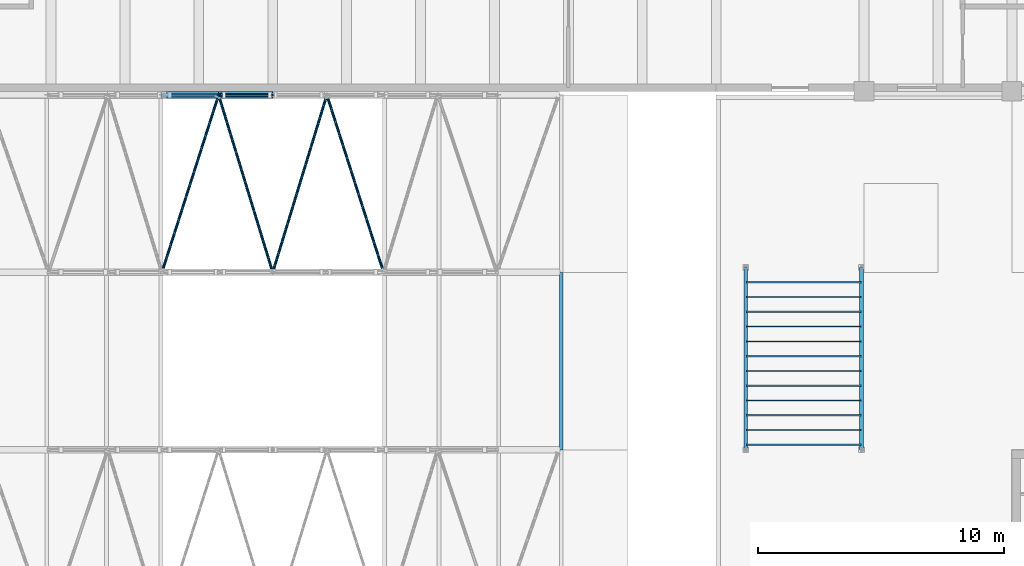
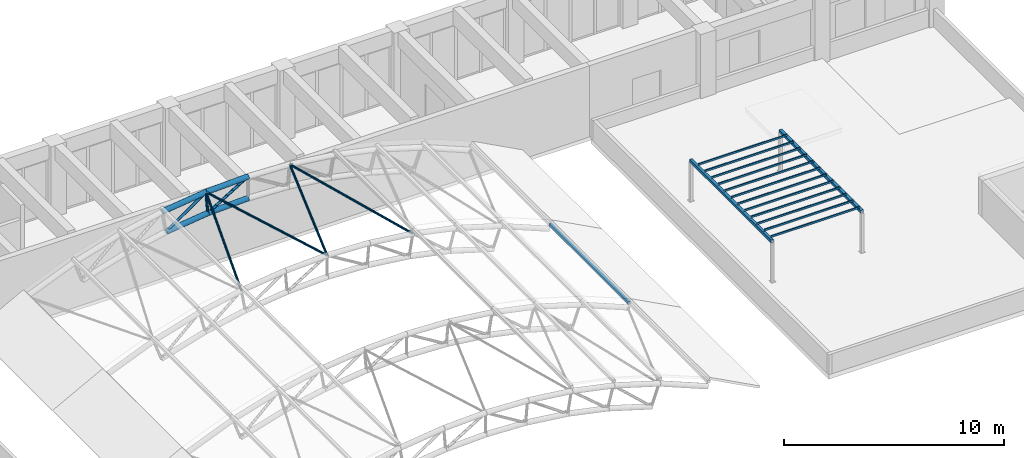
# One storey, part 11 of 92: 24 members, 2 beams.
"""IFC4 building model written with IfcOpenShell, lengths in metres."""

from ifc_helpers import new_model, si_unit, direction, frame, origin, origin_2d, place, context, subcontext, project, spatial, hollow_rectangle, hollow_circle, extrude, material, material_profile, profile_set, type_object, element, save


model = new_model("IFC4")

# Units and contexts
model_context = context("Model", 3, precision=1e-05, world=origin(), true_north=direction((0.0, 1.0)))
body_context = subcontext(model_context, "Body", "Model", "MODEL_VIEW")
ifc_project = project(units=[si_unit("LENGTHUNIT", "METRE"), si_unit("AREAUNIT", "SQUARE_METRE"), si_unit("VOLUMEUNIT", "CUBIC_METRE"), si_unit("PLANEANGLEUNIT", "RADIAN"), si_unit("MASSUNIT", "GRAM", prefix="KILO")], contexts=[model_context])

# Site, building, storey
site_placement = place(None, origin())
site = spatial("IfcSite", under=ifc_project, at=site_placement, CompositionType="ELEMENT")
building_placement = place(site_placement, origin())
building = spatial("IfcBuilding", under=site, at=building_placement, Name="Laocheng Heights Fire and Rescue Headquarters", CompositionType="ELEMENT")
storey_placement = place(building_placement, frame((0.0, 0.0, 12.60009765625)))
storey = spatial("IfcBuildingStorey", under=building, at=storey_placement, Name="L03", CompositionType="ELEMENT", Elevation=12.60009765625)

# Members
ifc_material_1 = material(Name="Steel Q355B", Category="steel")
ifc_material_profile_1 = material_profile(ifc_material_1, hollow_circle(Radius=0.05712890625, WallThickness=0.0048828125, at=origin_2d()), Name="CHS 114.3x5")
ifc_profile_set_1 = profile_set([ifc_material_profile_1], Name="Steel Q355B")
member_type_1 = type_object("IfcMemberType", Name="BAY ROOF BRACE CHS 114.3x5", PredefinedType="BRACE", material=ifc_profile_set_1)
member_1_placement = place(storey_placement, frame((31.501953125, 14.39990234375, 3.826904296875), z_axis=(0.304196705164, 0.951869414187, 0.037536421019), x_axis=(-0.952540707516, 0.304411235872, 0.0)))
element("IfcMember", 1, at=member_1_placement, inside=storey, type_object=member_type_1, Name="Roof brace C-D panel 07", PredefinedType="BRACE", context=body_context, shape_type="SweptSolid", body=[
    extrude(hollow_circle(Radius=0.05712890625, WallThickness=0.0048828125, at=origin_2d()), origin(), (0.0, 0.0, 1.0), 7.564208984375),
])
for number, where, z_axis, x_axis, name in (
    (2, (36.0, 14.39990234375, 4.199951171875), (-0.291828941844, 0.956397283351, -0.011836600041), (-0.956464288461, -0.291849387354, 0.0), "Roof brace C-D panel 08"),
    (3, (36.0, 14.39990234375, 4.199951171875), (0.291828941844, 0.956397283351, -0.011836600041), (-0.956464288461, 0.291849387354, 0.0), "Roof brace C-D panel 09"),
):
    element("IfcMember", number, at=place(storey_placement, frame(where, z_axis=z_axis, x_axis=x_axis)), inside=storey, type_object=member_type_1, Name=name, PredefinedType="BRACE", context=body_context, shape_type="SweptSolid", body=[
        extrude(hollow_circle(Radius=0.05712890625, WallThickness=0.0048828125, at=origin_2d()), origin(), (0.0, 0.0, 1.0), 7.528564453125),
    ])
member_2_placement = place(storey_placement, frame((40.498046875, 14.39990234375, 3.826904296875), z_axis=(-0.304196705164, 0.951869414187, 0.037536421019), x_axis=(-0.952540707516, -0.304411235872, 0.0)))
element("IfcMember", 4, at=member_2_placement, inside=storey, type_object=member_type_1, Name="Roof brace C-D panel 10", PredefinedType="BRACE", context=body_context, shape_type="SweptSolid", body=[
    extrude(hollow_circle(Radius=0.05712890625, WallThickness=0.0048828125, at=origin_2d()), origin(), (0.0, 0.0, 1.0), 7.564208984375),
])
ifc_material_2 = material(Name="Steel Q355B", Category="steel")
ifc_material_profile_2 = material_profile(ifc_material_2, hollow_circle(Radius=0.136474609375, WallThickness=0.011962890625, at=origin_2d()), Name="CHS 273x12")
ifc_profile_set_2 = profile_set([ifc_material_profile_2], Name="Steel Q355B")
member_type_2 = type_object("IfcMemberType", Name="BAY ROOF CHORD CHS 273x12", PredefinedType="CHORD", material=ifc_profile_set_2)
member_3_placement = place(storey_placement, frame((31.501953125, 21.60009765625, 3.826904296875), z_axis=(0.992472661513, 0.0, 0.122466387834), x_axis=(0.0, 1.0, 0.0)))
element("IfcMember", 5, at=member_3_placement, inside=storey, type_object=member_type_2, Name="Truss TR4 upper chord 07", PredefinedType="CHORD", context=body_context, shape_type="SweptSolid", body=[
    extrude(hollow_circle(Radius=0.136474609375, WallThickness=0.011962890625, at=origin_2d()), origin(), (0.0, 0.0, 1.0), 2.318359375),
])
member_4_placement = place(storey_placement, frame((33.802978515625, 21.60009765625, 4.11083984375), z_axis=(0.999178454192, 0.0, 0.04052674028), x_axis=(0.0, 1.0, 0.0)))
element("IfcMember", 6, at=member_4_placement, inside=storey, type_object=member_type_2, Name="Truss TR4 upper chord 08", PredefinedType="CHORD", context=body_context, shape_type="SweptSolid", body=[
    extrude(hollow_circle(Radius=0.136474609375, WallThickness=0.011962890625, at=origin_2d()), origin(), (0.0, 0.0, 1.0), 2.19873046875),
])
member_5_placement = place(storey_placement, frame((31.699951171875, 21.60009765625, 2.642822265625), z_axis=(0.992444716413, 0.0, 0.122692643889), x_axis=(0.0, 1.0, 0.0)))
element("IfcMember", 7, at=member_5_placement, inside=storey, type_object=member_type_2, Name="Truss TR4 lower chord 07", PredefinedType="CHORD", context=body_context, shape_type="SweptSolid", body=[
    extrude(hollow_circle(Radius=0.136474609375, WallThickness=0.011962890625, at=origin_2d()), origin(), (0.0, 0.0, 1.0), 2.216796875),
])
member_6_placement = place(storey_placement, frame((33.89990234375, 21.60009765625, 2.914794921875), z_axis=(0.999177972736, 0.0, 0.040538608752), x_axis=(0.0, 1.0, 0.0)))
element("IfcMember", 8, at=member_6_placement, inside=storey, type_object=member_type_2, Name="Truss TR4 lower chord 08", PredefinedType="CHORD", context=body_context, shape_type="SweptSolid", body=[
    extrude(hollow_circle(Radius=0.136474609375, WallThickness=0.011962890625, at=origin_2d()), origin(), (0.0, 0.0, 1.0), 2.101806640625),
])
ifc_material_3 = material(Name="Steel Q355B", Category="steel")
ifc_material_profile_3 = material_profile(ifc_material_3, hollow_circle(Radius=0.06982421875, WallThickness=0.006103515625, at=origin_2d()), Name="CHS 139.7x6")
ifc_profile_set_3 = profile_set([ifc_material_profile_3], Name="Steel Q355B")
member_type_3 = type_object("IfcMemberType", Name="BAY ROOF DIAG CHS 139.7x6", PredefinedType="BRACE", material=ifc_profile_set_3)
member_7_placement = place(storey_placement, frame((31.699951171875, 21.60009765625, 2.642822265625), z_axis=(0.819982530229, 0.0, 0.572388548208), x_axis=(0.0, 1.0, 0.0)))
element("IfcMember", 9, at=member_7_placement, inside=storey, type_object=member_type_3, Name="Truss diagonal TR4-07", PredefinedType="BRACE", context=body_context, shape_type="SweptSolid", body=[
    extrude(hollow_circle(Radius=0.06982421875, WallThickness=0.006103515625, at=origin_2d()), origin(), (0.0, 0.0, 1.0), 2.564697265625),
])
member_8_placement = place(storey_placement, frame((33.89990234375, 21.60009765625, 2.914794921875), z_axis=(0.852963029568, 0.0, 0.521971330812), x_axis=(0.0, 1.0, 0.0)))
element("IfcMember", 10, at=member_8_placement, inside=storey, type_object=member_type_3, Name="Truss diagonal TR4-08", PredefinedType="BRACE", context=body_context, shape_type="SweptSolid", body=[
    extrude(hollow_circle(Radius=0.06982421875, WallThickness=0.006103515625, at=origin_2d()), origin(), (0.0, 0.0, 1.0), 2.462158203125),
])
ifc_material_4 = material(Name="Steel Q355B", Category="steel")
ifc_material_profile_4 = material_profile(ifc_material_4, hollow_circle(Radius=0.06982421875, WallThickness=0.006103515625, at=origin_2d()), Name="CHS 139.7x6")
ifc_profile_set_4 = profile_set([ifc_material_profile_4], Name="Steel Q355B")
member_type_4 = type_object("IfcMemberType", Name="BAY ROOF POST CHS 139.7x6", PredefinedType="POST", material=ifc_profile_set_4)
member_9_placement = place(storey_placement, frame((33.89990234375, 21.60009765625, 2.914794921875), z_axis=(-0.080772165441, 0.0, 0.996732590663), x_axis=(0.0, -1.0, 0.0)))
element("IfcMember", 11, at=member_9_placement, inside=storey, type_object=member_type_4, Name="Truss TR4 radial post 07", PredefinedType="POST", context=body_context, shape_type="SweptSolid", body=[
    extrude(hollow_circle(Radius=0.06982421875, WallThickness=0.006103515625, at=origin_2d()), origin(), (0.0, 0.0, 1.0), 1.199951171875),
])
ifc_material_5 = material(Name="Steel Q355B", Category="steel")
ifc_material_profile_5 = material_profile(ifc_material_5, hollow_rectangle(XDim=0.14990234375, YDim=0.14990234375, WallThickness=0.008056640625, at=origin_2d()), Name="SHS 150x150x8")
ifc_profile_set_5 = profile_set([ifc_material_profile_5], Name="Steel Q355B")
member_type_5 = type_object("IfcMemberType", Name="BAY ROOF PURLIN SHS 150x150x8", PredefinedType="PURLIN", material=ifc_profile_set_5)
member_10_placement = place(storey_placement, frame((47.710693359375, 7.199951171875, 1.822265625), z_axis=(0.0, 1.0, 0.0), x_axis=(-1.0, 0.0, 0.0)))
element("IfcMember", 12, at=member_10_placement, inside=storey, type_object=member_type_5, Name="Purlin 14.2", PredefinedType="PURLIN", context=body_context, shape_type="SweptSolid", body=[
    extrude(hollow_rectangle(XDim=0.14990234375, YDim=0.14990234375, WallThickness=0.008056640625, at=origin_2d()), origin(), (0.0, 0.0, 1.0), 7.199951171875),
])

# Beams
ifc_material_6 = material(Name="Steel Q355B", Category="steel")
ifc_material_profile_6 = material_profile(ifc_material_6, hollow_rectangle(XDim=0.14990234375, YDim=0.14990234375, WallThickness=0.006103515625, at=origin_2d()), Name="RHS 150x150x6")
ifc_profile_set_6 = profile_set([ifc_material_profile_6], Name="Steel Q355B")
beam_type = type_object("IfcBeamType", Name="STEEL TRELLIS BEAM RHS 150x150x6", PredefinedType="BEAM", material=ifc_profile_set_6)
for number, where, z_axis, x_axis, name in (
    (13, (55.199951171875, 7.199951171875, 2.625), (0.0, 1.0, 0.0), (-1.0, 0.0, 0.0), "Trellis beam"),
    (14, (59.89990234375, 7.199951171875, 2.625), (0.0, 1.0, 0.0), (-1.0, 0.0, 0.0), "Trellis beam"),
):
    element("IfcBeam", number, at=place(storey_placement, frame(where, z_axis=z_axis, x_axis=x_axis)), inside=storey, type_object=beam_type, Name=name, PredefinedType="BEAM", context=body_context, shape_type="SweptSolid", body=[
        extrude(hollow_rectangle(XDim=0.14990234375, YDim=0.14990234375, WallThickness=0.006103515625, at=origin_2d()), origin(), (0.0, 0.0, 1.0), 7.400146484375),
    ])

# Members
ifc_material_7 = material(Name="Steel Q355B", Category="steel")
ifc_material_profile_7 = material_profile(ifc_material_7, hollow_rectangle(XDim=0.050048828125, YDim=0.10009765625, WallThickness=0.00390625, at=origin_2d()), Name="RHS 100x50x4")
ifc_profile_set_7 = profile_set([ifc_material_profile_7], Name="Steel Q355B")
member_type_6 = type_object("IfcMemberType", Name="STEEL TRELLIS JOIST RHS 100x50x4", PredefinedType="MEMBER", material=ifc_profile_set_7)
for number, where, z_axis, x_axis, name in (
    (15, (55.199951171875, 7.39990234375, 2.75), (1.0, 0.0, 0.0), (0.0, 1.0, 0.0), "Trellis E flank joist"),
    (16, (55.199951171875, 8.0, 2.75), (1.0, 0.0, 0.0), (0.0, 1.0, 0.0), "Trellis E flank joist"),
    (17, (55.199951171875, 8.60009765625, 2.75), (1.0, 0.0, 0.0), (0.0, 1.0, 0.0), "Trellis E flank joist"),
    (18, (55.199951171875, 9.199951171875, 2.75), (1.0, 0.0, 0.0), (0.0, 1.0, 0.0), "Trellis E flank joist"),
    (19, (55.199951171875, 9.800048828125, 2.75), (1.0, 0.0, 0.0), (0.0, 1.0, 0.0), "Trellis E flank joist"),
    (20, (55.199951171875, 10.39990234375, 2.75), (1.0, 0.0, 0.0), (0.0, 1.0, 0.0), "Trellis E flank joist"),
    (21, (55.199951171875, 11.0, 2.75), (1.0, 0.0, 0.0), (0.0, 1.0, 0.0), "Trellis E flank joist"),
    (22, (55.199951171875, 11.60009765625, 2.75), (1.0, 0.0, 0.0), (0.0, 1.0, 0.0), "Trellis E flank joist"),
    (23, (55.199951171875, 12.199951171875, 2.75), (1.0, 0.0, 0.0), (0.0, 1.0, 0.0), "Trellis E flank joist"),
    (24, (55.199951171875, 12.800048828125, 2.75), (1.0, 0.0, 0.0), (0.0, 1.0, 0.0), "Trellis E flank joist"),
    (25, (55.199951171875, 13.39990234375, 2.75), (1.0, 0.0, 0.0), (0.0, 1.0, 0.0), "Trellis E flank joist"),
    (26, (55.199951171875, 14.0, 2.75), (1.0, 0.0, 0.0), (0.0, 1.0, 0.0), "Trellis E flank joist"),
):
    element("IfcMember", number, at=place(storey_placement, frame(where, z_axis=z_axis, x_axis=x_axis)), inside=storey, type_object=member_type_6, Name=name, PredefinedType="MEMBER", context=body_context, shape_type="SweptSolid", body=[
        extrude(hollow_rectangle(XDim=0.050048828125, YDim=0.10009765625, WallThickness=0.00390625, at=origin_2d()), origin(), (0.0, 0.0, 1.0), 4.699951171875),
    ])

save(model, "model.ifc")
